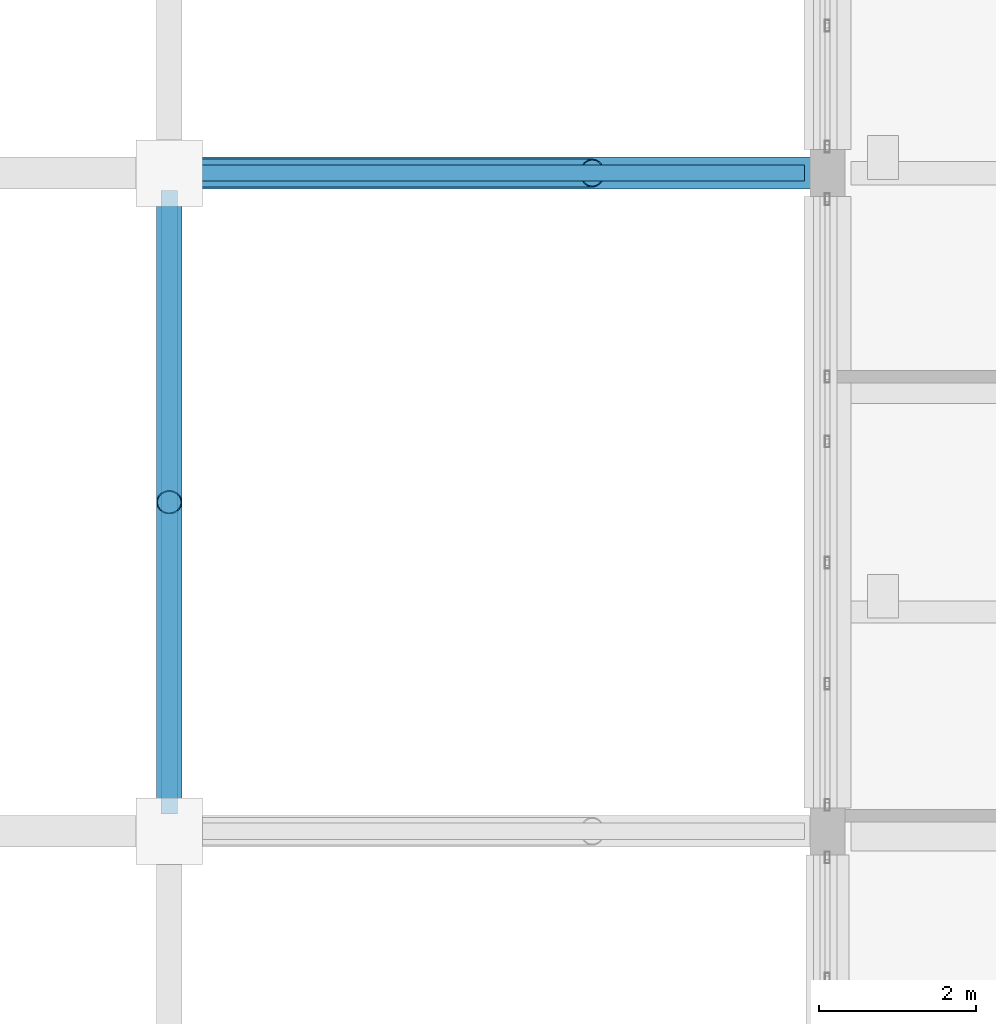
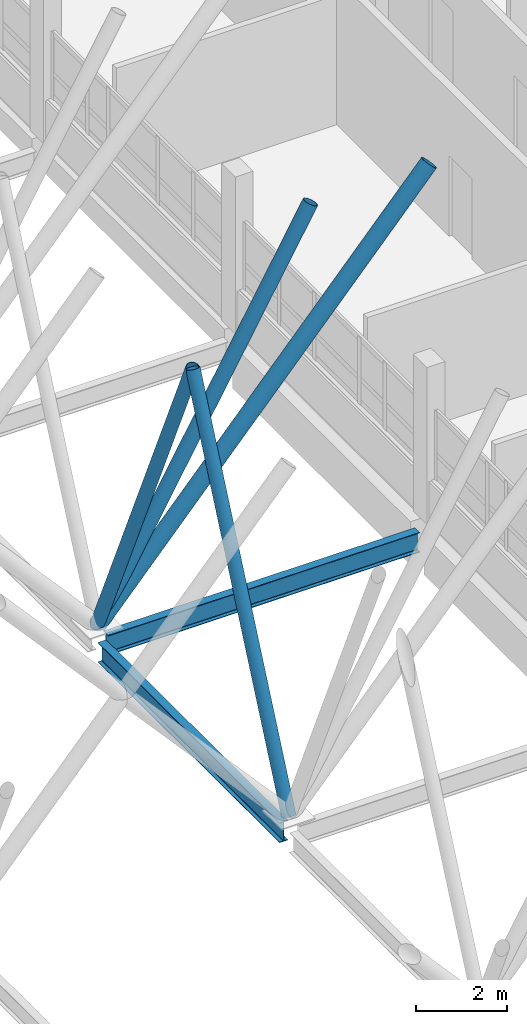
# One storey, part 22 of 107: 4 members, 2 beams.
"""IFC4 building model written with IfcOpenShell, lengths in metres."""

from ifc_helpers import new_model, si_unit, direction, frame, origin, origin_2d, place, context, subcontext, project, spatial, hollow_circle, i_section, extrude, material, material_profile, profile_set, type_object, element, save


model = new_model("IFC4")

# Units and contexts
model_context = context("Model", 3, precision=1e-05, world=origin(), true_north=direction((0.0, 1.0)))
body_context = subcontext(model_context, "Body", "Model", "MODEL_VIEW")
ifc_project = project(units=[si_unit("LENGTHUNIT", "METRE"), si_unit("AREAUNIT", "SQUARE_METRE"), si_unit("VOLUMEUNIT", "CUBIC_METRE"), si_unit("PLANEANGLEUNIT", "RADIAN"), si_unit("MASSUNIT", "GRAM", prefix="KILO")], contexts=[model_context])

# Site, building, storey
site_placement = place(None, origin())
site = spatial("IfcSite", under=ifc_project, at=site_placement, CompositionType="ELEMENT")
building_placement = place(site_placement, origin())
building = spatial("IfcBuilding", under=site, at=building_placement, Name="Vireocrest Preparatory School", CompositionType="ELEMENT")
storey_placement = place(building_placement, frame((0.0, 0.0, 13.199951171875)))
storey = spatial("IfcBuildingStorey", under=building, at=storey_placement, Name="L03", CompositionType="ELEMENT", Elevation=13.199951171875)

# Beams
ifc_material_1 = material(Name="Structural steel ASTM A992 Grade 50", Category="steel")
ifc_material_profile_1 = material_profile(ifc_material_1, i_section(OverallWidth=0.208984375, OverallDepth=0.532958984375, WebThickness=0.01025390625, FlangeThickness=0.015625, FilletRadius=0.014892578125, at=origin_2d()), Name="W21X62")
ifc_profile_set_1 = profile_set([ifc_material_profile_1], Name="Structural steel ASTM A992 Grade 50")
beam_type = type_object("IfcBeamType", Name="Court Tie Girder W21X62", PredefinedType="BEAM", material=ifc_profile_set_1)
beam_1_placement = place(storey_placement, frame((84.2236328125, 60.60009765625, -0.56640625), z_axis=(1.0, 0.0, 0.0), x_axis=(0.0, 1.0, 0.0)))
element("IfcBeam", 1, at=beam_1_placement, inside=storey, type_object=beam_type, Name="Court Trunk Lateral Tie Girder SB5 E5 L03", PredefinedType="BEAM", context=body_context, shape_type="SweptSolid", body=[
    extrude(i_section(OverallWidth=0.208984375, OverallDepth=0.532958984375, WebThickness=0.01025390625, FlangeThickness=0.015625, FilletRadius=0.014892578125, at=origin_2d()), origin(), (0.0, 0.0, 1.0), 7.88134765625),
])
beam_2_placement = place(storey_placement, frame((84.0, 52.419921875, -0.56640625), z_axis=(0.0, 1.0, 0.0), x_axis=(-1.0, 0.0, 0.0)))
element("IfcBeam", 2, at=beam_2_placement, inside=storey, type_object=beam_type, Name="Court Trunk Spine Girder SB5 E4 L03", PredefinedType="BEAM", context=body_context, shape_type="SweptSolid", body=[
    extrude(i_section(OverallWidth=0.208984375, OverallDepth=0.532958984375, WebThickness=0.01025390625, FlangeThickness=0.015625, FilletRadius=0.014892578125, at=origin_2d()), origin(), (0.0, 0.0, 1.0), 7.9599609375),
])

# Members
ifc_material_2 = material(Name="Painted white steel ASTM A500 Grade C", Category="steel")
ifc_material_profile_2 = material_profile(ifc_material_2, hollow_circle(Radius=0.161865234375, WallThickness=0.0126953125, at=origin_2d()), Name="HSS12.750X0.500")
ifc_profile_set_2 = profile_set([ifc_material_profile_2], Name="Painted white steel ASTM A500 Grade C")
member_type_1 = type_object("IfcMemberType", Name="White Steel Canopy Tie Strut HSS12.750X0.500", PredefinedType="USERDEFINED", material=ifc_profile_set_2)
member_1_placement = place(storey_placement, frame((84.0, 52.199951171875, -0.0048828125), z_axis=(0.0, 0.407216567456, 0.913331630455), x_axis=(-1.0, 0.0, 0.0)))
element("IfcMember", 3, at=member_1_placement, inside=storey, type_object=member_type_1, Name="Longitudinal V-Strut VS2 E4-N", ObjectType="STRUT", PredefinedType="USERDEFINED", context=body_context, shape_type="SweptSolid", body=[
    extrude(hollow_circle(Radius=0.161865234375, WallThickness=0.0126953125, at=origin_2d()), origin(), (0.0, 0.0, 1.0), 10.313720703125),
])
member_2_placement = place(storey_placement, frame((84.0, 60.60009765625, -0.0048828125), z_axis=(0.0, -0.40723631313, 0.913322826425), x_axis=(1.0, 0.0, 0.0)))
element("IfcMember", 4, at=member_2_placement, inside=storey, type_object=member_type_1, Name="Longitudinal V-Strut VS2 E5-S", ObjectType="STRUT", PredefinedType="USERDEFINED", context=body_context, shape_type="SweptSolid", body=[
    extrude(hollow_circle(Radius=0.161865234375, WallThickness=0.0126953125, at=origin_2d()), origin(), (0.0, 0.0, 1.0), 10.31396484375),
])
ifc_material_profile_3 = material_profile(ifc_material_2, hollow_circle(Radius=0.177734375, WallThickness=0.0126953125, at=origin_2d()), Name="HSS14.000X0.500")
ifc_profile_set_3 = profile_set([ifc_material_profile_3], Name="Painted white steel ASTM A500 Grade C")
member_type_2 = type_object("IfcMemberType", Name="White Steel Canopy V-Strut HSS14.000X0.500", PredefinedType="USERDEFINED", material=ifc_profile_set_3)
member_3_placement = place(storey_placement, frame((84.0, 60.60009765625, -0.010009765625), z_axis=(0.496917813622, 0.0, 0.867797606879), x_axis=(0.0, 1.0, 0.0)))
element("IfcMember", 5, at=member_3_placement, inside=storey, type_object=member_type_2, Name="White Steel V-Strut VS1 E5", ObjectType="STRUT", PredefinedType="USERDEFINED", context=body_context, shape_type="SweptSolid", body=[
    extrude(hollow_circle(Radius=0.177734375, WallThickness=0.0126953125, at=origin_2d()), origin(), (0.0, 0.0, 1.0), 10.86669921875),
])
ifc_material_profile_4 = material_profile(ifc_material_2, hollow_circle(Radius=0.203125, WallThickness=0.0126953125, at=origin_2d()), Name="HSS16.000X0.500")
ifc_profile_set_4 = profile_set([ifc_material_profile_4], Name="Painted white steel ASTM A500 Grade C")
member_type_3 = type_object("IfcMemberType", Name="White Steel V-Column Branch HSS16.000X0.500", PredefinedType="USERDEFINED", material=ifc_profile_set_4)
member_4_placement = place(storey_placement, frame((84.0, 60.60009765625, -0.010009765625), z_axis=(0.665138630213, 0.0, 0.746719895676), x_axis=(0.0, 1.0, 0.0)))
element("IfcMember", 6, at=member_4_placement, inside=storey, type_object=member_type_3, Name="White Steel V-Column Branch VC3 E5-A2", ObjectType="STRUT", PredefinedType="USERDEFINED", context=body_context, shape_type="SweptSolid", body=[
    extrude(hollow_circle(Radius=0.203125, WallThickness=0.0126953125, at=origin_2d()), origin(), (0.0, 0.0, 1.0), 12.62890625),
])

save(model, "model.ifc")
